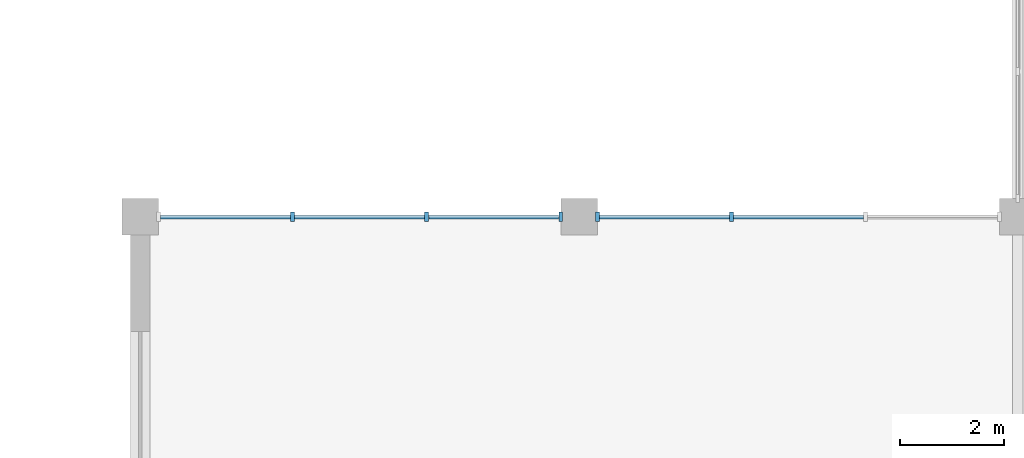
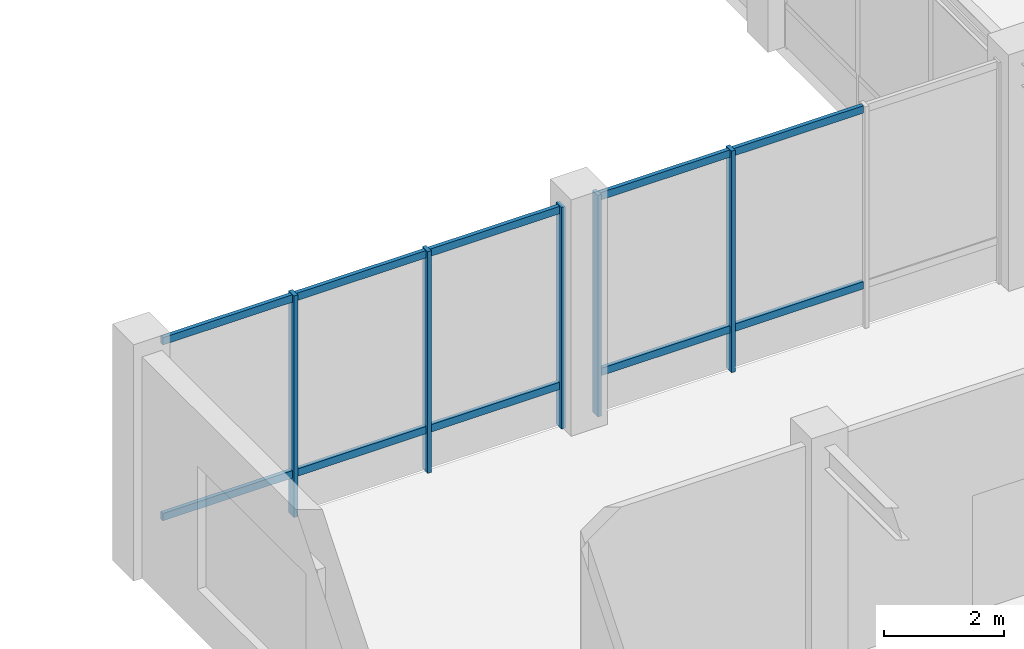
# One storey, part 29 of 76: 15 members, 2 elements without a shape of their own.
"""IFC4 building model written with IfcOpenShell, lengths in metres."""

from ifc_helpers import new_model, si_unit, direction, frame, origin, origin_2d, place, context, subcontext, project, spatial, rectangle, extrude, material, layer, layer_set, material_profile, profile_set, type_object, element, aggregate, save


model = new_model("IFC4")

# Units and contexts
model_context = context("Model", 3, precision=1e-05, world=origin(), true_north=direction((0.0, 1.0)))
body_context = subcontext(model_context, "Body", "Model", "MODEL_VIEW")
ifc_project = project(units=[si_unit("LENGTHUNIT", "METRE"), si_unit("AREAUNIT", "SQUARE_METRE"), si_unit("VOLUMEUNIT", "CUBIC_METRE"), si_unit("PLANEANGLEUNIT", "RADIAN"), si_unit("MASSUNIT", "GRAM", prefix="KILO")], contexts=[model_context])

# Site, building, storey
site_placement = place(None, origin())
site = spatial("IfcSite", under=ifc_project, at=site_placement, CompositionType="ELEMENT")
building_placement = place(site_placement, origin())
building = spatial("IfcBuilding", under=site, at=building_placement, Name="Naruveol Harbour Congress Hotel", CompositionType="ELEMENT")
storey_placement = place(building_placement, frame((0.0, 0.0, 11.39990234375)))
storey = spatial("IfcBuildingStorey", under=building, at=storey_placement, Name="L02", CompositionType="ELEMENT", Elevation=11.39990234375)

# Curtain wall, members
ifc_material_1 = material(Name="Low-E Curtain Wall System", Category="glass")
ifc_layer = layer(ifc_material_1, 0.179931640625)
ifc_layer_set = layer_set([ifc_layer], Name="Low-E Curtain Wall System")
curtain_wall_type = type_object("IfcCurtainWallType", Name="UNITISED CURTAIN WALL CW-V4NF-40 7700X4500", PredefinedType="USERDEFINED", material=ifc_layer_set)
curtain_wall_1_placement = place(storey_placement, origin())
curtain_wall_1 = element("IfcCurtainWall", 1, at=curtain_wall_1_placement, inside=storey, type_object=curtain_wall_type, Name="Unitised curtain wall CW-V4NF-40 L02", ObjectType="UNITISED GLAZING", PredefinedType="USERDEFINED")
ifc_material_2 = material(Name="Anodised Aluminium 6063-T6", Category="aluminium")
ifc_material_profile_1 = material_profile(ifc_material_2, rectangle(XDim=0.074951171875, YDim=0.179931640625, at=origin_2d()), Name="ALU-75x180")
ifc_profile_set_1 = profile_set([ifc_material_profile_1], Name="Anodised Aluminium 6063-T6")
member_type_1 = type_object("IfcMemberType", Name="THERMAL ALUMINIUM MULLION 75X180", PredefinedType="MULLION", material=ifc_profile_set_1)
member_1_placement = place(storey_placement, frame((53.316650390625, 72.0, 0.0), z_axis=(0.0, 0.0, 1.0), x_axis=(1.0, 0.0, 0.0)))
member_1 = element("IfcMember", 2, at=member_1_placement, type_object=member_type_1, Name="Curtain wall mullion CW-L02-0102-M1", PredefinedType="MULLION", context=body_context, shape_type="SweptSolid", body=[
    extrude(rectangle(XDim=0.074951171875, YDim=0.179931640625, at=origin_2d()), origin(), (0.0, 0.0, 1.0), 4.5),
])
member_2_placement = place(storey_placement, frame((55.88330078125, 72.0, 0.0), z_axis=(0.0, 0.0, 1.0), x_axis=(1.0, 0.0, 0.0)))
member_2 = element("IfcMember", 3, at=member_2_placement, type_object=member_type_1, Name="Curtain wall mullion CW-L02-0102-M2", PredefinedType="MULLION", context=body_context, shape_type="SweptSolid", body=[
    extrude(rectangle(XDim=0.074951171875, YDim=0.179931640625, at=origin_2d()), origin(), (0.0, 0.0, 1.0), 4.5),
])
member_3_placement = place(storey_placement, frame((58.449951171875, 72.0, 0.0), z_axis=(0.0, 0.0, 1.0), x_axis=(1.0, 0.0, 0.0)))
member_3 = element("IfcMember", 4, at=member_3_placement, type_object=member_type_1, Name="Curtain wall mullion CW-L02-0102-M3", PredefinedType="MULLION", context=body_context, shape_type="SweptSolid", body=[
    extrude(rectangle(XDim=0.074951171875, YDim=0.179931640625, at=origin_2d()), origin(), (0.0, 0.0, 1.0), 4.5),
])

curtain_wall_2_placement = place(storey_placement, origin())
curtain_wall_2 = element("IfcCurtainWall", 5, at=curtain_wall_2_placement, inside=storey, type_object=curtain_wall_type, Name="Unitised curtain wall CW-V4NF-40 L02", ObjectType="UNITISED GLAZING", PredefinedType="USERDEFINED")
member_4_placement = place(storey_placement, frame((59.14990234375, 72.0, 0.0), z_axis=(0.0, 0.0, 1.0), x_axis=(1.0, 0.0, 0.0)))
member_4 = element("IfcMember", 6, at=member_4_placement, type_object=member_type_1, Name="Curtain wall mullion CW-L02-0103-M0", PredefinedType="MULLION", context=body_context, shape_type="SweptSolid", body=[
    extrude(rectangle(XDim=0.074951171875, YDim=0.179931640625, at=origin_2d()), origin(), (0.0, 0.0, 1.0), 4.5),
])
member_5_placement = place(storey_placement, frame((61.716796875, 72.0, 0.0), z_axis=(0.0, 0.0, 1.0), x_axis=(1.0, 0.0, 0.0)))
member_5 = element("IfcMember", 7, at=member_5_placement, type_object=member_type_1, Name="Curtain wall mullion CW-L02-0103-M1", PredefinedType="MULLION", context=body_context, shape_type="SweptSolid", body=[
    extrude(rectangle(XDim=0.074951171875, YDim=0.179931640625, at=origin_2d()), origin(), (0.0, 0.0, 1.0), 4.5),
])

# Member
ifc_material_3 = material(Name="Anodised Aluminium 6063-T6", Category="aluminium")
ifc_material_profile_2 = material_profile(ifc_material_3, rectangle(XDim=0.074951171875, YDim=0.14990234375, at=origin_2d()), Name="ALU-75x150")
ifc_profile_set_2 = profile_set([ifc_material_profile_2], Name="Anodised Aluminium 6063-T6")
member_type_2 = type_object("IfcMemberType", Name="THERMAL ALUMINIUM TRANSOM 75X150", PredefinedType="USERDEFINED", material=ifc_profile_set_2)
member_6_placement = place(storey_placement, frame((50.7900390625, 72.0, 0.85009765625), z_axis=(1.0, 0.0, 0.0), x_axis=(0.0, 1.0, 0.0)))
member_6 = element("IfcMember", 8, at=member_6_placement, type_object=member_type_2, Name="Curtain wall transom CW-L02-0102-T0.1", ObjectType="TRANSOM", PredefinedType="USERDEFINED", context=body_context, shape_type="SweptSolid", body=[
    extrude(rectangle(XDim=0.074951171875, YDim=0.14990234375, at=origin_2d()), origin(), (0.0, 0.0, 1.0), 2.486572265625),
])

member_7_placement = place(storey_placement, frame((50.7900390625, 72.0, 4.420166015625), z_axis=(1.0, 0.0, 0.0), x_axis=(0.0, 1.0, 0.0)))
member_7 = element("IfcMember", 9, at=member_7_placement, type_object=member_type_2, Name="Curtain wall transom CW-L02-0102-T0.2", ObjectType="TRANSOM", PredefinedType="USERDEFINED", context=body_context, shape_type="SweptSolid", body=[
    extrude(rectangle(XDim=0.074951171875, YDim=0.14990234375, at=origin_2d()), origin(), (0.0, 0.0, 1.0), 2.486572265625),
])

member_8_placement = place(storey_placement, frame((53.356689453125, 72.0, 0.85009765625), z_axis=(1.0, 0.0, 0.0), x_axis=(0.0, 1.0, 0.0)))
member_8 = element("IfcMember", 10, at=member_8_placement, type_object=member_type_2, Name="Curtain wall transom CW-L02-0102-T1.1", ObjectType="TRANSOM", PredefinedType="USERDEFINED", context=body_context, shape_type="SweptSolid", body=[
    extrude(rectangle(XDim=0.074951171875, YDim=0.14990234375, at=origin_2d()), origin(), (0.0, 0.0, 1.0), 2.486572265625),
])

member_9_placement = place(storey_placement, frame((53.356689453125, 72.0, 4.420166015625), z_axis=(1.0, 0.0, 0.0), x_axis=(0.0, 1.0, 0.0)))
member_9 = element("IfcMember", 11, at=member_9_placement, type_object=member_type_2, Name="Curtain wall transom CW-L02-0102-T1.2", ObjectType="TRANSOM", PredefinedType="USERDEFINED", context=body_context, shape_type="SweptSolid", body=[
    extrude(rectangle(XDim=0.074951171875, YDim=0.14990234375, at=origin_2d()), origin(), (0.0, 0.0, 1.0), 2.486572265625),
])

member_10_placement = place(storey_placement, frame((55.92333984375, 72.0, 0.85009765625), z_axis=(1.0, 0.0, 0.0), x_axis=(0.0, 1.0, 0.0)))
member_10 = element("IfcMember", 12, at=member_10_placement, type_object=member_type_2, Name="Curtain wall transom CW-L02-0102-T2.1", ObjectType="TRANSOM", PredefinedType="USERDEFINED", context=body_context, shape_type="SweptSolid", body=[
    extrude(rectangle(XDim=0.074951171875, YDim=0.14990234375, at=origin_2d()), origin(), (0.0, 0.0, 1.0), 2.486572265625),
])

member_11_placement = place(storey_placement, frame((55.92333984375, 72.0, 4.420166015625), z_axis=(1.0, 0.0, 0.0), x_axis=(0.0, 1.0, 0.0)))
member_11 = element("IfcMember", 13, at=member_11_placement, type_object=member_type_2, Name="Curtain wall transom CW-L02-0102-T2.2", ObjectType="TRANSOM", PredefinedType="USERDEFINED", context=body_context, shape_type="SweptSolid", body=[
    extrude(rectangle(XDim=0.074951171875, YDim=0.14990234375, at=origin_2d()), origin(), (0.0, 0.0, 1.0), 2.486572265625),
])

aggregate(curtain_wall_1, [member_1, member_2, member_3, member_6, member_7, member_8, member_9, member_10, member_11])

member_12_placement = place(storey_placement, frame((59.18994140625, 72.0, 0.85009765625), z_axis=(1.0, 0.0, 0.0), x_axis=(0.0, 1.0, 0.0)))
member_12 = element("IfcMember", 14, at=member_12_placement, type_object=member_type_2, Name="Curtain wall transom CW-L02-0103-T0.1", ObjectType="TRANSOM", PredefinedType="USERDEFINED", context=body_context, shape_type="SweptSolid", body=[
    extrude(rectangle(XDim=0.074951171875, YDim=0.14990234375, at=origin_2d()), origin(), (0.0, 0.0, 1.0), 2.48681640625),
])

member_13_placement = place(storey_placement, frame((59.18994140625, 72.0, 4.420166015625), z_axis=(1.0, 0.0, 0.0), x_axis=(0.0, 1.0, 0.0)))
member_13 = element("IfcMember", 15, at=member_13_placement, type_object=member_type_2, Name="Curtain wall transom CW-L02-0103-T0.2", ObjectType="TRANSOM", PredefinedType="USERDEFINED", context=body_context, shape_type="SweptSolid", body=[
    extrude(rectangle(XDim=0.074951171875, YDim=0.14990234375, at=origin_2d()), origin(), (0.0, 0.0, 1.0), 2.48681640625),
])

member_14_placement = place(storey_placement, frame((61.756591796875, 72.0, 0.85009765625), z_axis=(1.0, 0.0, 0.0), x_axis=(0.0, 1.0, 0.0)))
member_14 = element("IfcMember", 16, at=member_14_placement, type_object=member_type_2, Name="Curtain wall transom CW-L02-0103-T1.1", ObjectType="TRANSOM", PredefinedType="USERDEFINED", context=body_context, shape_type="SweptSolid", body=[
    extrude(rectangle(XDim=0.074951171875, YDim=0.14990234375, at=origin_2d()), origin(), (0.0, 0.0, 1.0), 2.48681640625),
])

member_15_placement = place(storey_placement, frame((61.756591796875, 72.0, 4.420166015625), z_axis=(1.0, 0.0, 0.0), x_axis=(0.0, 1.0, 0.0)))
member_15 = element("IfcMember", 17, at=member_15_placement, type_object=member_type_2, Name="Curtain wall transom CW-L02-0103-T1.2", ObjectType="TRANSOM", PredefinedType="USERDEFINED", context=body_context, shape_type="SweptSolid", body=[
    extrude(rectangle(XDim=0.074951171875, YDim=0.14990234375, at=origin_2d()), origin(), (0.0, 0.0, 1.0), 2.48681640625),
])

aggregate(curtain_wall_2, [member_4, member_5, member_12, member_13, member_14, member_15])

save(model, "model.ifc")
